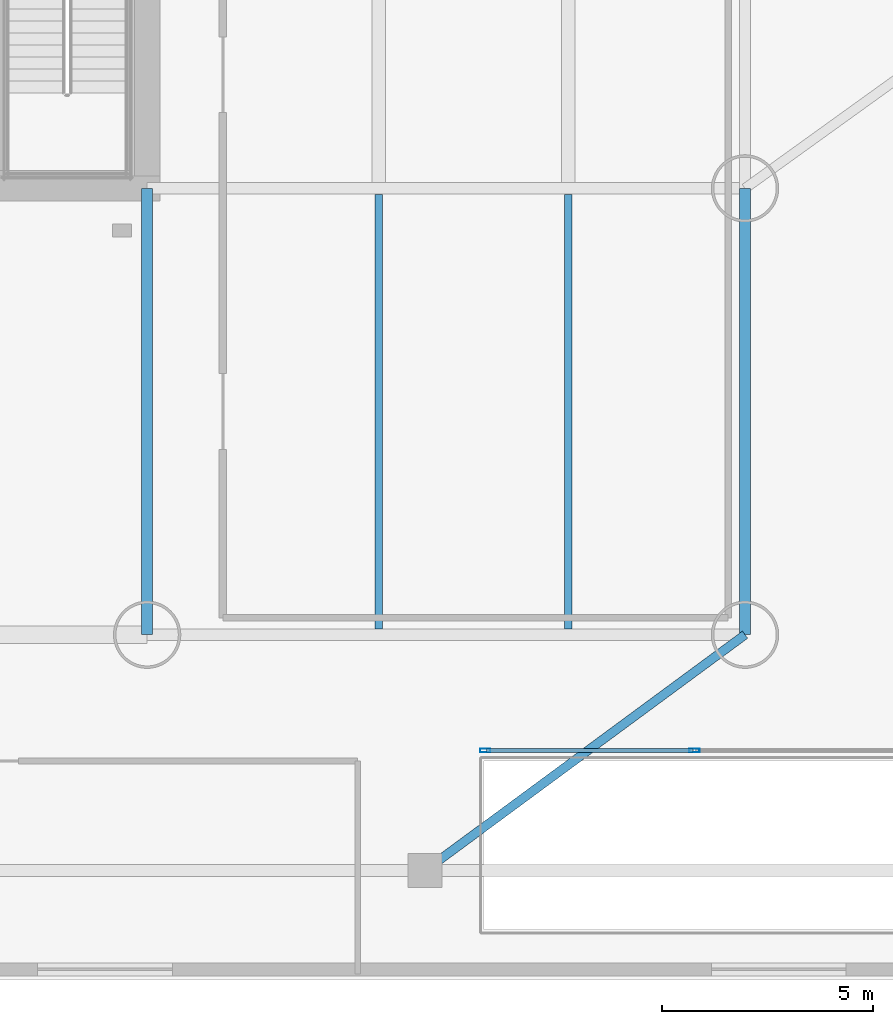
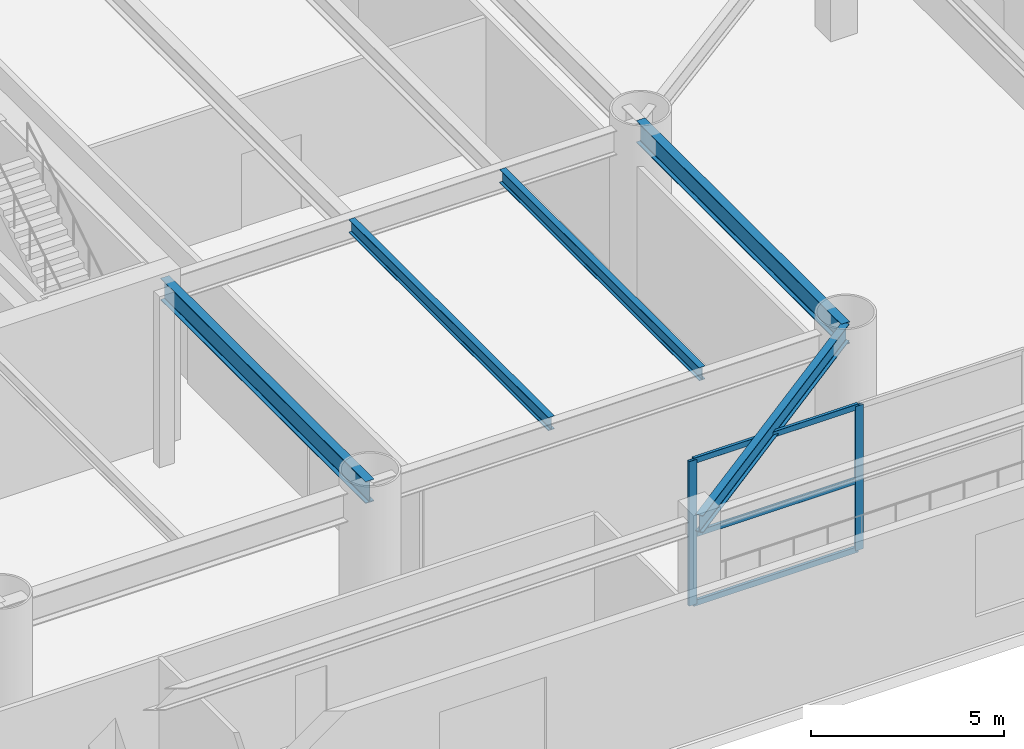
# One storey, part 2 of 16: 5 beams, 5 members, 1 element without a shape of its own.
"""IFC4 building model written with IfcOpenShell, lengths in metres."""

from ifc_helpers import new_model, si_unit, direction, frame, origin, origin_2d, place, context, subcontext, project, spatial, hollow_rectangle, i_section, extrude, material, layer, layer_set, material_profile, profile_set, type_object, element, aggregate, save


model = new_model("IFC4")

# Units and contexts
model_context = context("Model", 3, precision=1e-05, world=origin(), true_north=direction((0.0, 1.0)))
body_context = subcontext(model_context, "Body", "Model", "MODEL_VIEW")
ifc_project = project(units=[si_unit("LENGTHUNIT", "METRE"), si_unit("AREAUNIT", "SQUARE_METRE"), si_unit("VOLUMEUNIT", "CUBIC_METRE"), si_unit("PLANEANGLEUNIT", "RADIAN"), si_unit("MASSUNIT", "GRAM", prefix="KILO")], contexts=[model_context])

# Site, building, storey
site_placement = place(None, origin())
site = spatial("IfcSite", under=ifc_project, at=site_placement, CompositionType="ELEMENT")
building_placement = place(site_placement, origin())
building = spatial("IfcBuilding", under=site, at=building_placement, Name="Bramvorn Convention Spire", CompositionType="ELEMENT")
storey_placement = place(building_placement, frame((0.0, 0.0, 6.60009765625)))
storey = spatial("IfcBuildingStorey", under=building, at=storey_placement, Name="L01", CompositionType="ELEMENT", Elevation=6.60009765625)

# Beams
ifc_material_1 = material(Name="Steel CSA G40.21 Grade 350 (350W)", Category="steel")
ifc_material_profile_1 = material_profile(ifc_material_1, i_section(OverallWidth=0.180908203125, OverallDepth=0.4169921875, WebThickness=0.010986328125, FlangeThickness=0.018310546875, FilletRadius=0.01611328125, at=origin_2d()))
ifc_profile_set_1 = profile_set([ifc_material_profile_1], Name="Steel CSA G40.21 Grade 350 (350W) - W410X85")
beam_type_1 = type_object("IfcBeamType", Name="BM-W410X85", PredefinedType="JOIST", material=ifc_profile_set_1)
for number, where, z_axis, x_axis, name in (
    (1, (54.5, 8.340087890625, 4.84130859375), (0.0, 1.0, 0.0), (-1.0, 0.0, 0.0), "L01 side hall joist S-5"),
    (2, (59.0, 8.340087890625, 4.84130859375), (0.0, 1.0, 0.0), (-1.0, 0.0, 0.0), "L01 side hall joist S-6"),
):
    element("IfcBeam", number, at=place(storey_placement, frame(where, z_axis=z_axis, x_axis=x_axis)), inside=storey, type_object=beam_type_1, Name=name, PredefinedType="JOIST", context=body_context, shape_type="SweptSolid", body=[
        extrude(i_section(OverallWidth=0.180908203125, OverallDepth=0.4169921875, WebThickness=0.010986328125, FlangeThickness=0.018310546875, FilletRadius=0.01611328125, at=origin_2d()), origin(), (0.0, 0.0, 1.0), 10.31982421875),
    ])
ifc_material_profile_2 = material_profile(ifc_material_1, i_section(OverallWidth=0.2119140625, OverallDepth=0.5439453125, WebThickness=0.01318359375, FlangeThickness=0.021240234375, FilletRadius=0.01904296875, at=origin_2d()))
ifc_profile_set_2 = profile_set([ifc_material_profile_2], Name="Steel CSA G40.21 Grade 350 (350W) - W530X123")
beam_type_2 = type_object("IfcBeamType", Name="BM-W530X123", PredefinedType="BEAM", material=ifc_profile_set_2)
beam_placement = place(storey_placement, frame((55.60009765625, 2.60009765625, 4.77783203125), z_axis=(0.805057787445, 0.593196391488, 0.0), x_axis=(-0.593196391488, 0.805057787445, 0.0)))
element("IfcBeam", 3, at=beam_placement, inside=storey, type_object=beam_type_2, Name="L01 podium primary girder 30", PredefinedType="BEAM", context=body_context, shape_type="SweptSolid", body=[
    extrude(i_section(OverallWidth=0.2119140625, OverallDepth=0.5439453125, WebThickness=0.01318359375, FlangeThickness=0.021240234375, FilletRadius=0.01904296875, at=origin_2d()), origin(), (0.0, 0.0, 1.0), 9.440185546875),
])
ifc_material_profile_3 = material_profile(ifc_material_1, i_section(OverallWidth=0.256103515625, OverallDepth=0.693115234375, WebThickness=0.014404296875, FlangeThickness=0.023681640625, FilletRadius=0.02197265625, at=origin_2d()))
ifc_profile_set_3 = profile_set([ifc_material_profile_3], Name="Steel CSA G40.21 Grade 350 (350W) - W690X170")
beam_type_3 = type_object("IfcBeamType", Name="BM-W690X170", PredefinedType="BEAM", material=ifc_profile_set_3)
for number, where, z_axis, x_axis, name in (
    (4, (63.199951171875, 8.199951171875, 4.703369140625), (0.0, 1.0, 0.0), (-1.0, 0.0, 0.0), "L01 podium primary girder 15"),
    (5, (49.0, 8.199951171875, 4.703369140625), (0.0, 1.0, 0.0), (-1.0, 0.0, 0.0), "L01 podium primary girder 23"),
):
    element("IfcBeam", number, at=place(storey_placement, frame(where, z_axis=z_axis, x_axis=x_axis)), inside=storey, type_object=beam_type_3, Name=name, PredefinedType="BEAM", context=body_context, shape_type="SweptSolid", body=[
        extrude(i_section(OverallWidth=0.256103515625, OverallDepth=0.693115234375, WebThickness=0.014404296875, FlangeThickness=0.023681640625, FilletRadius=0.02197265625, at=origin_2d()), origin(), (0.0, 0.0, 1.0), 10.60009765625),
    ])

# Curtain wall, members
ifc_material_2 = material(Name="Anodised Bronze Unitised Curtain Wall", Category="aluminium")
ifc_layer = layer(ifc_material_2, 0.219970703125)
ifc_layer_set = layer_set([ifc_layer], Name="Anodised Bronze Unitised Curtain Wall - CW-POD-LANCET")
curtain_wall_type = type_object("IfcCurtainWallType", Name="CW-POD-LANCET", PredefinedType="USERDEFINED", material=ifc_layer_set)
curtain_wall_placement = place(storey_placement, origin())
curtain_wall = element("IfcCurtainWall", 6, at=curtain_wall_placement, inside=storey, type_object=curtain_wall_type, Name="L01 SE colonnade lancet curtain wall", ObjectType="UNITISED CURTAIN WALL", PredefinedType="USERDEFINED")
ifc_material_3 = material(Name="Anodised Bronze Aluminium 6063-T6", Category="aluminium")
ifc_material_profile_4 = material_profile(ifc_material_3, hollow_rectangle(XDim=0.090087890625, YDim=0.239990234375, WallThickness=0.00439453125, InnerFilletRadius=0.0009765625, OuterFilletRadius=0.00439453125, at=origin_2d()))
ifc_profile_set_4 = profile_set([ifc_material_profile_4], Name="Anodised Bronze Aluminium 6063-T6 - CWM90X240")
member_type_1 = type_object("IfcMemberType", Name="CW-MUL-220", PredefinedType="MULLION", material=ifc_profile_set_4)
member_1_placement = place(storey_placement, frame((57.030029296875, 5.449951171875, 0.0), z_axis=(0.0, 0.0, 1.0), x_axis=(0.0, 1.0, 0.0)))
member_1 = element("IfcMember", 7, at=member_1_placement, type_object=member_type_1, Name="CW1 mullion 1", PredefinedType="MULLION", context=body_context, shape_type="SweptSolid", body=[
    extrude(hollow_rectangle(XDim=0.090087890625, YDim=0.239990234375, WallThickness=0.00439453125, InnerFilletRadius=0.0009765625, OuterFilletRadius=0.00439453125, at=origin_2d()), origin(), (0.0, 0.0, 1.0), 4.559814453125),
])
member_2_placement = place(storey_placement, frame((62.0, 5.449951171875, 0.0), z_axis=(0.0, 0.0, 1.0), x_axis=(0.0, 1.0, 0.0)))
member_2 = element("IfcMember", 8, at=member_2_placement, type_object=member_type_1, Name="CW1 mullion 2", PredefinedType="MULLION", context=body_context, shape_type="SweptSolid", body=[
    extrude(hollow_rectangle(XDim=0.090087890625, YDim=0.239990234375, WallThickness=0.00439453125, InnerFilletRadius=0.0009765625, OuterFilletRadius=0.00439453125, at=origin_2d()), origin(), (0.0, 0.0, 1.0), 4.559814453125),
])
ifc_material_profile_5 = material_profile(ifc_material_3, hollow_rectangle(XDim=0.090087890625, YDim=0.179931640625, WallThickness=0.00439453125, InnerFilletRadius=0.0009765625, OuterFilletRadius=0.00439453125, at=origin_2d()))
ifc_profile_set_5 = profile_set([ifc_material_profile_5], Name="Anodised Bronze Aluminium 6063-T6 - CWT90X180")
member_type_2 = type_object("IfcMemberType", Name="CW-TRN-180", PredefinedType="USERDEFINED", material=ifc_profile_set_5)
member_3_placement = place(storey_placement, frame((57.06005859375, 5.449951171875, 0.02978515625), z_axis=(1.0, 0.0, 0.0), x_axis=(0.0, 1.0, 0.0)))
member_3 = element("IfcMember", 9, at=member_3_placement, type_object=member_type_2, Name="CW1 transom 1.1", ObjectType="TRANSOM", PredefinedType="USERDEFINED", context=body_context, shape_type="SweptSolid", body=[
    extrude(hollow_rectangle(XDim=0.090087890625, YDim=0.179931640625, WallThickness=0.00439453125, InnerFilletRadius=0.0009765625, OuterFilletRadius=0.00439453125, at=origin_2d()), origin(), (0.0, 0.0, 1.0), 4.909912109375),
])
member_4_placement = place(storey_placement, frame((57.06005859375, 5.449951171875, 2.199951171875), z_axis=(1.0, 0.0, 0.0), x_axis=(0.0, 1.0, 0.0)))
member_4 = element("IfcMember", 10, at=member_4_placement, type_object=member_type_2, Name="CW1 transom 1.2", ObjectType="TRANSOM", PredefinedType="USERDEFINED", context=body_context, shape_type="SweptSolid", body=[
    extrude(hollow_rectangle(XDim=0.090087890625, YDim=0.179931640625, WallThickness=0.00439453125, InnerFilletRadius=0.0009765625, OuterFilletRadius=0.00439453125, at=origin_2d()), origin(), (0.0, 0.0, 1.0), 4.909912109375),
])
member_5_placement = place(storey_placement, frame((57.06005859375, 5.449951171875, 4.52978515625), z_axis=(1.0, 0.0, 0.0), x_axis=(0.0, 1.0, 0.0)))
member_5 = element("IfcMember", 11, at=member_5_placement, type_object=member_type_2, Name="CW1 transom 1.3", ObjectType="TRANSOM", PredefinedType="USERDEFINED", context=body_context, shape_type="SweptSolid", body=[
    extrude(hollow_rectangle(XDim=0.090087890625, YDim=0.179931640625, WallThickness=0.00439453125, InnerFilletRadius=0.0009765625, OuterFilletRadius=0.00439453125, at=origin_2d()), origin(), (0.0, 0.0, 1.0), 4.909912109375),
])
aggregate(curtain_wall, [member_1, member_2, member_3, member_4, member_5])

save(model, "model.ifc")
